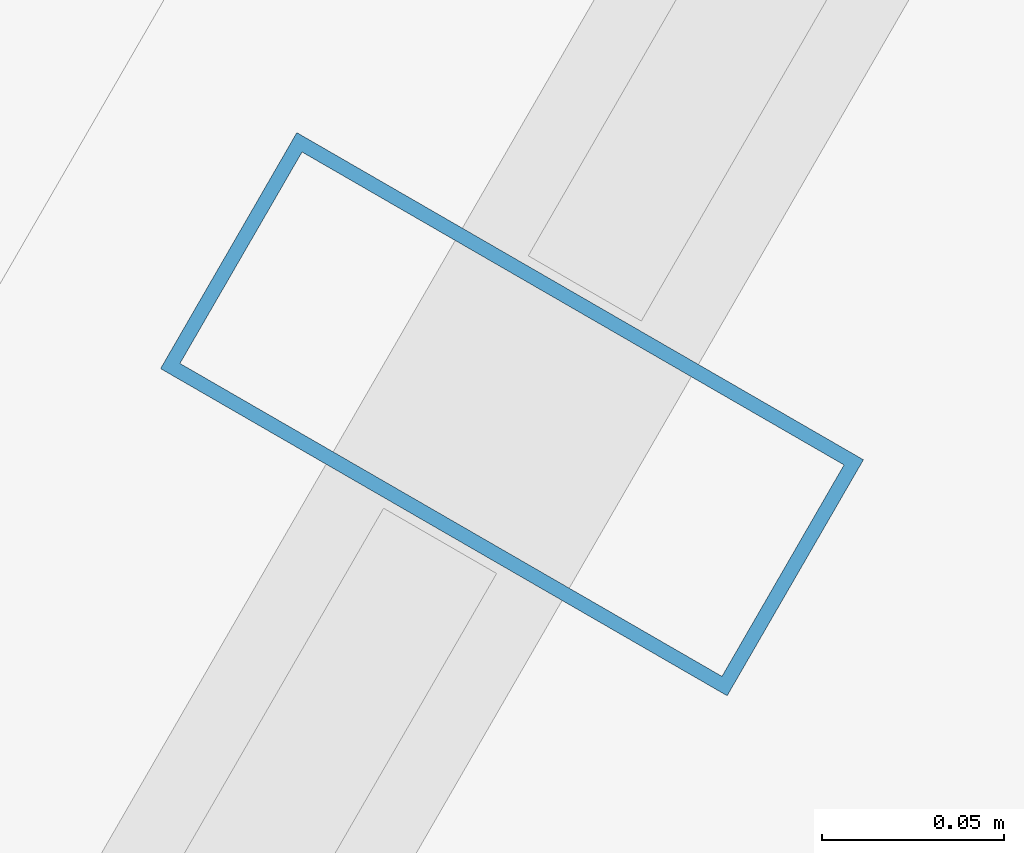
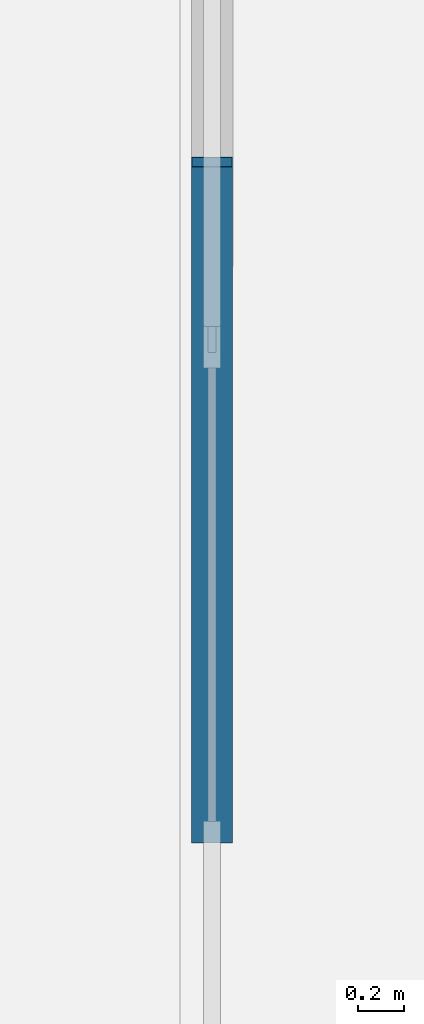
# One storey, part 14 of 36: 1 member, 1 element without a shape of its own.
"""IFC4 building model written with IfcOpenShell, lengths in metres."""

import ifcopenshell
import ifcopenshell.guid

model = None  # the IFC model being written
_history = None  # IfcOwnerHistory: only IFC2X3 demands one
_inside = {}  # id of a spatial element -> (the spatial element, [elements in it])
_under = {}  # id of a project, library or spatial element -> (it, [spatial elements below it])
_declared = {}  # id of a project -> (the project, [libraries it declares])
_typed = {}  # id of a type object -> (the type object, [elements of that type])
_made_of = {}  # id of a material, layer set ... -> (it, [elements and type objects made of it])


def new_model(schema):
    """Start an empty IFC model of exactly this schema.

    Asked for "IFC4X3", IfcOpenShell would pick the latest addendum, in which some entities
    have other attributes; the version numbers below select the first issue.
    IFC2X3 requires an IfcOwnerHistory on every rooted entity: one is made here for all.
    """
    global model, _history
    if schema == "IFC4X3":
        model = ifcopenshell.file(schema_version=(4, 3, 0, 0))
    else:
        model = ifcopenshell.file(schema=schema)
    _inside.clear()
    _under.clear()
    _declared.clear()
    _typed.clear()
    _made_of.clear()
    _history = None
    if model.schema == "IFC2X3":
        org = make("IfcOrganization", Name="unknown")
        user = make(
            "IfcPersonAndOrganization",
            ThePerson=make("IfcPerson", FamilyName="unknown"),
            TheOrganization=org,
        )
        app = make(
            "IfcApplication",
            ApplicationDeveloper=org,
            Version="unknown",
            ApplicationFullName="unknown",
            ApplicationIdentifier="unknown",
        )
        _history = make(
            "IfcOwnerHistory",
            OwningUser=user,
            OwningApplication=app,
            ChangeAction="ADDED",
            CreationDate=0,
        )
    return model


def make(cls, **values):
    """One entity of the class cls with the attributes given. An attribute that is None is left unset."""
    return model.create_entity(
        cls, **{name: value for name, value in values.items() if value is not None}
    )


def rooted(cls, **values):
    """An entity with a GlobalId (a new one), such as an element, a storey or a relation."""
    return make(cls, GlobalId=ifcopenshell.guid.new(), OwnerHistory=_history, **values)


def si_unit(unit_type, name, prefix=None):
    """IfcSIUnit, for example si_unit("LENGTHUNIT", "METRE", prefix="MILLI")."""
    return make("IfcSIUnit", UnitType=unit_type, Prefix=prefix, Name=name)


def assignment(units):
    """IfcUnitAssignment: the units of a project."""
    return None if units is None else make("IfcUnitAssignment", Units=units)


def point(xyz):
    """IfcCartesianPoint."""
    return None if xyz is None else make("IfcCartesianPoint", Coordinates=xyz)


def direction(xyz):
    """IfcDirection."""
    return None if xyz is None else make("IfcDirection", DirectionRatios=xyz)


def frame(location, z_axis=None, x_axis=None):
    """IfcAxis2Placement3D, a coordinate frame: its origin and axes. An axis left out is left unset."""
    return make(
        "IfcAxis2Placement3D",
        Location=point(location),
        Axis=direction(z_axis),
        RefDirection=direction(x_axis),
    )


def frame_2d(location, x_axis=None):
    """IfcAxis2Placement2D, a coordinate frame in the plane: its origin and x axis."""
    return make(
        "IfcAxis2Placement2D", Location=point(location), RefDirection=direction(x_axis)
    )


def origin():
    """The frame at (0, 0, 0) with its axes left unset."""
    return frame((0.0, 0.0, 0.0))


def origin_2d():
    """The frame at (0, 0) in the plane with its x axis left unset."""
    return frame_2d((0.0, 0.0))


def place(relative_to, where):
    """IfcLocalPlacement: puts the frame where relative to a parent placement (None: the world)."""
    return make(
        "IfcLocalPlacement", PlacementRelTo=relative_to, RelativePlacement=where
    )


def context(
    kind, dimensions, precision=None, world=None, true_north=None, identifier=None
):
    """IfcGeometricRepresentationContext, for example the 3D "Model" context."""
    return make(
        "IfcGeometricRepresentationContext",
        ContextIdentifier=identifier,
        ContextType=kind,
        CoordinateSpaceDimension=dimensions,
        Precision=precision,
        WorldCoordinateSystem=world,
        TrueNorth=true_north,
    )


def subcontext(parent, identifier, kind, view, scale=None):
    """IfcGeometricRepresentationSubContext, for example "Body" below "Model"."""
    return make(
        "IfcGeometricRepresentationSubContext",
        ContextIdentifier=identifier,
        ContextType=kind,
        ParentContext=parent,
        TargetScale=scale,
        TargetView=view,
    )


def project(units=None, contexts=None):
    """IfcProject with its units and contexts."""
    return rooted(
        "IfcProject",
        Name="project",
        RepresentationContexts=contexts,
        UnitsInContext=assignment(units),
    )


def spatial(cls, under=None, at=None, **own):
    """A site, building, storey or space (cls), placed at a placement, below another one or the project."""
    s = rooted(cls, ObjectPlacement=at, **own)
    if under is not None:
        _under.setdefault(under.id(), (under, []))[1].append(s)
    return s


def profile(cls, at=None, kind="AREA", **sizes):
    """A parametric profile (cls). Its sizes go by their IFC names, for example OverallWidth=200.0."""
    return make(cls, ProfileType=kind, Position=at, **sizes)


def hollow_rectangle(**sizes):
    """IfcRectangleHollowProfileDef."""
    return profile("IfcRectangleHollowProfileDef", **sizes)


def extrude(swept, where, along, depth):
    """IfcExtrudedAreaSolid: the profile swept, set in the frame where, extruded along a direction by depth."""
    return make(
        "IfcExtrudedAreaSolid",
        SweptArea=swept,
        Position=where,
        ExtrudedDirection=direction(along),
        Depth=depth,
    )


def shape(context_of_items, identifier, shape_type, items):
    """IfcShapeRepresentation: the items that make up one representation, for example the "Body"."""
    return make(
        "IfcShapeRepresentation",
        ContextOfItems=context_of_items,
        RepresentationIdentifier=identifier,
        RepresentationType=shape_type,
        Items=items,
    )


def material(Name=None, Category=None):
    """IfcMaterial."""
    return make("IfcMaterial", Name=Name, Category=Category)


def layer(
    of_material, thickness, ventilated=None, Name=None, Category=None, Priority=None
):
    """IfcMaterialLayer: one layer of a wall or slab, of a material (None: an air gap)."""
    return make(
        "IfcMaterialLayer",
        Material=of_material,
        LayerThickness=thickness,
        IsVentilated=ventilated,
        Name=Name,
        Category=Category,
        Priority=Priority,
    )


def layer_set(layers, Name=None):
    """IfcMaterialLayerSet."""
    return make("IfcMaterialLayerSet", MaterialLayers=layers, LayerSetName=Name)


def material_profile(
    of_material, cross_section, Name=None, Category=None, Priority=None
):
    """IfcMaterialProfile: a cross section and its material."""
    return make(
        "IfcMaterialProfile",
        Name=Name,
        Material=of_material,
        Profile=cross_section,
        Priority=Priority,
        Category=Category,
    )


def profile_set(profiles, Name=None, composite=None):
    """IfcMaterialProfileSet."""
    return make(
        "IfcMaterialProfileSet",
        Name=Name,
        MaterialProfiles=profiles,
        CompositeProfile=composite,
    )


def made_of(thing, what):
    """Note that an element or type object is made of a material, layer set ...; save() writes the relation."""
    if what is not None:
        _made_of.setdefault(what.id(), (what, []))[1].append(thing)
    return thing


def type_object(cls, material=None, **own):
    """A type object (cls), such as IfcWallType, which elements share."""
    return made_of(rooted(cls, **own), material)


def element(
    cls,
    number,
    at=None,
    inside=None,
    cuts=None,
    type_object=None,
    material=None,
    context=None,
    identifier="Body",
    shape_type=None,
    held_by="IfcProductDefinitionShape",
    body=None,
    shapes=None,
    **own,
):
    """One element of the class cls, such as IfcWall. Its Tag is "e" and its number.

    at: its placement. inside: the storey or other place that contains it. cuts: it is an
    opening in that element (IfcRelVoidsElement). A single representation is given by context,
    identifier, shape_type and body (its items); several are given by shapes. held_by: the class
    of the entity that holds the representations. save() writes the other relations.
    """
    e = rooted(cls, Tag="e%d" % number, ObjectPlacement=at, **own)
    if body is not None:
        shapes = [shape(context, identifier, shape_type, body)]
    if shapes is not None:
        e.Representation = make(held_by, Representations=shapes)
    if inside is not None:
        _inside.setdefault(inside.id(), (inside, []))[1].append(e)
    if cuts is not None:
        rooted(
            "IfcRelVoidsElement", RelatingBuildingElement=cuts, RelatedOpeningElement=e
        )
    if type_object is not None:
        _typed.setdefault(type_object.id(), (type_object, []))[1].append(e)
    return made_of(e, material)


def aggregate(whole, parts):
    """IfcRelAggregates: a whole, such as a stair, and the parts it consists of."""
    return rooted("IfcRelAggregates", RelatingObject=whole, RelatedObjects=parts)


def save(model, path):
    """Write the relations noted so far, then the file.

    IfcRelAggregates (storeys below a building ...), IfcRelContainedInSpatialStructure (elements
    in a storey), IfcRelDefinesByType, IfcRelAssociatesMaterial and IfcRelDeclares: one each for
    every whole, place, type object, material and project.
    """
    for whole, parts in _under.values():
        aggregate(whole, parts)
    for where, things in _inside.values():
        rooted(
            "IfcRelContainedInSpatialStructure",
            RelatedElements=things,
            RelatingStructure=where,
        )
    for kind, things in _typed.values():
        rooted("IfcRelDefinesByType", RelatedObjects=things, RelatingType=kind)
    for what, things in _made_of.values():
        rooted("IfcRelAssociatesMaterial", RelatedObjects=things, RelatingMaterial=what)
    for by, libraries in _declared.values():
        rooted("IfcRelDeclares", RelatingContext=by, RelatedDefinitions=libraries)
    model.write(path)


model = new_model("IFC4")

# Units and contexts
model_context = context("Model", 3, precision=1e-05, world=origin(), true_north=direction((0.0, 1.0)))
body_context = subcontext(model_context, "Body", "Model", "MODEL_VIEW")
ifc_project = project(units=[si_unit("LENGTHUNIT", "METRE"), si_unit("AREAUNIT", "SQUARE_METRE"), si_unit("VOLUMEUNIT", "CUBIC_METRE"), si_unit("PLANEANGLEUNIT", "RADIAN"), si_unit("MASSUNIT", "GRAM", prefix="KILO")], contexts=[model_context])

# Site, building, storey
site_placement = place(None, origin())
site = spatial("IfcSite", under=ifc_project, at=site_placement, CompositionType="ELEMENT")
building_placement = place(site_placement, origin())
building = spatial("IfcBuilding", under=site, at=building_placement, Name="Ndaravel Arena Tower", CompositionType="ELEMENT")
storey_placement = place(building_placement, frame((0.0, 0.0, 127.0)))
storey = spatial("IfcBuildingStorey", under=building, at=storey_placement, Name="L29", CompositionType="ELEMENT", Elevation=127.0)

# Curtain wall, member
ifc_material_1 = material(Name="Aluminium", Category="aluminium")
ifc_layer = layer(ifc_material_1, 0.179931640625)
ifc_layer_set = layer_set([ifc_layer], Name="Aluminium")
curtain_wall_type = type_object("IfcCurtainWallType", Name="CW-SYS-03", PredefinedType="NOTDEFINED", material=ifc_layer_set)
curtain_wall_placement = place(storey_placement, origin())
curtain_wall = element("IfcCurtainWall", 1, at=curtain_wall_placement, inside=storey, type_object=curtain_wall_type, Name="L29 Faceted Crystal Curtain Wall CW-L29-E05", PredefinedType="NOTDEFINED")
ifc_material_2 = material(Name="Aluminium", Category="aluminium")
ifc_material_profile = material_profile(ifc_material_2, hollow_rectangle(XDim=0.074951171875, YDim=0.179931640625, WallThickness=0.00390625, at=origin_2d()), Name="CW MULLION 75x180x4")
ifc_profile_set = profile_set([ifc_material_profile], Name="Aluminium")
member_type = type_object("IfcMemberType", Name="MEM-CW-MUL180", PredefinedType="MULLION", material=ifc_profile_set)
member_placement = place(storey_placement, frame((29.29150390625, 34.7255859375, 0.0), z_axis=(0.0, 0.0, 1.0), x_axis=(-0.5, -0.866025403784, 0.0)))
member = element("IfcMember", 2, at=member_placement, type_object=member_type, Name="CW-L29-E05 Mullion 03", PredefinedType="MULLION", context=body_context, shape_type="SweptSolid", body=[
    extrude(hollow_rectangle(XDim=0.074951171875, YDim=0.179931640625, WallThickness=0.00390625, at=origin_2d()), origin(), (0.0, 0.0, 1.0), 3.580078125),
])
aggregate(curtain_wall, [member])

save(model, "model.ifc")
